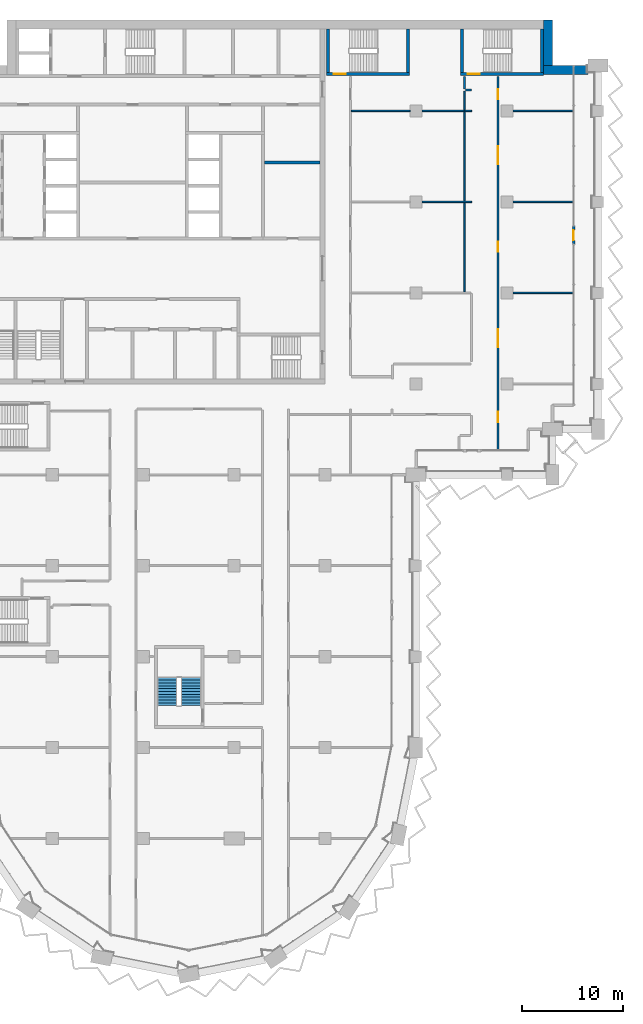
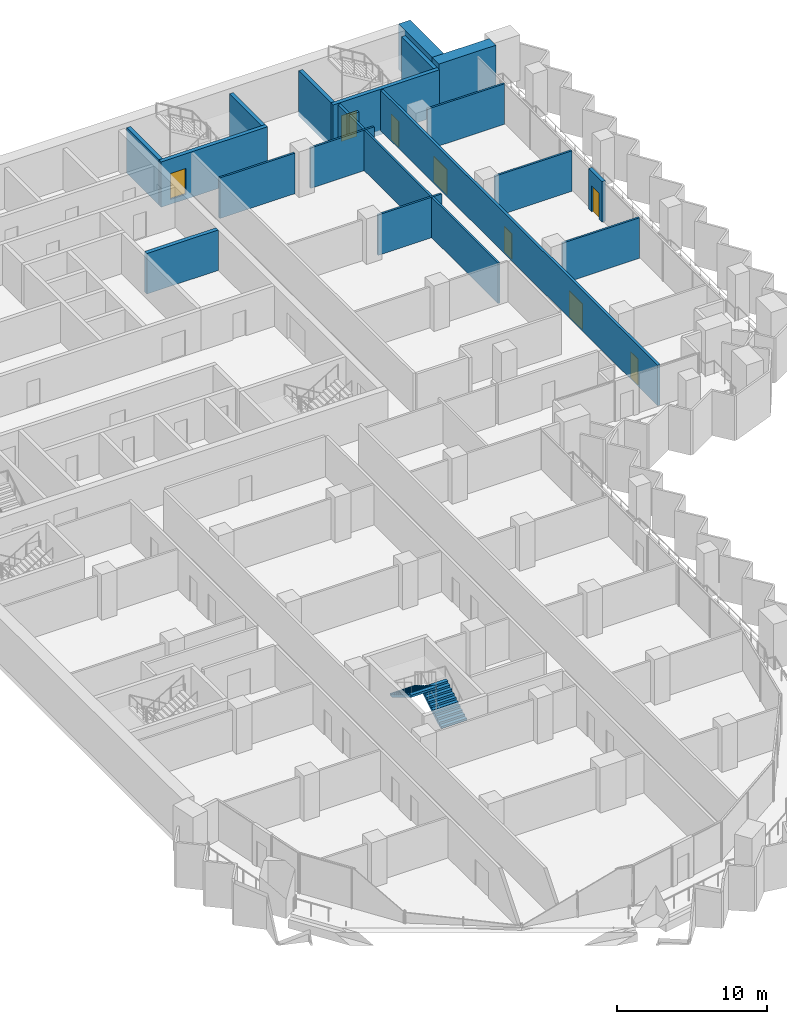
# One storey, part 14 of 22: 22 walls, 8 doors, 2 stair flights, 8 openings, 1 element without a shape of its own.
"""IFC4 building model written with IfcOpenShell, lengths in metres."""

from ifc_helpers import new_model, si_unit, direction, frame, frame_2d, origin, place, context, subcontext, project, spatial, polyline, rectangle, outline, extrude, material, layer, layer_set, type_object, element, fill, aggregate, save


model = new_model("IFC4")

# Units and contexts
model_context = context("Model", 3, precision=1e-05, world=origin(), true_north=direction((0.0, 1.0)))
body_context = subcontext(model_context, "Body", "Model", "MODEL_VIEW")
ifc_project = project(units=[si_unit("LENGTHUNIT", "METRE"), si_unit("AREAUNIT", "SQUARE_METRE"), si_unit("VOLUMEUNIT", "CUBIC_METRE"), si_unit("PLANEANGLEUNIT", "RADIAN"), si_unit("MASSUNIT", "GRAM", prefix="KILO")], contexts=[model_context])

# Site, building, storey
site_placement = place(None, origin())
site = spatial("IfcSite", under=ifc_project, at=site_placement, CompositionType="ELEMENT")
building_placement = place(site_placement, origin())
building = spatial("IfcBuilding", under=site, at=building_placement, Name="Hunhe Ridgeline Campus", CompositionType="ELEMENT")
storey_placement = place(building_placement, frame((0.0, 0.0, 163.39990234375)))
storey = spatial("IfcBuildingStorey", under=building, at=storey_placement, Name="L41", CompositionType="ELEMENT", Elevation=163.39990234375)

# Walls
ifc_material_1 = material(Name="Masonry concrete blockwork", Category="masonry")
ifc_layer_1 = layer(ifc_material_1, 0.300048828125)
ifc_layer_set_1 = layer_set([ifc_layer_1], Name="Core room partition 300 concrete block")
wall_type_1 = type_object("IfcWallType", Name="Core room partition 300 concrete block", PredefinedType="PARTITIONING", material=ifc_layer_set_1)
wall_1_placement = place(storey_placement, frame((30.0, 84.89990234375, 0.0), z_axis=(0.0, 0.0, 1.0), x_axis=(1.0, 0.0, 0.0)))
element("IfcWall", 1, at=wall_1_placement, inside=storey, type_object=wall_type_1, Name="L41 core partition 21", PredefinedType="PARTITIONING", context=body_context, shape_type="SweptSolid", body=[
    extrude(rectangle(XDim=5.5, YDim=0.300048828125, at=frame_2d((2.75, 0.0))), origin(), (0.0, 0.0, 1.0), 3.300048828125),
])
ifc_material_2 = material(Name="Gypsum board partition")
ifc_layer_2 = layer(ifc_material_2, 0.199951171875)
ifc_layer_set_2 = layer_set([ifc_layer_2], Name="Corridor partition 200 gypsum board on steel studs")
wall_type_2 = type_object("IfcWallType", Name="Corridor partition 200 gypsum board on steel studs", PredefinedType="PARTITIONING", material=ifc_layer_set_2)
wall_2_placement = place(storey_placement, frame((50.5, 92.050048828125, 0.0), z_axis=(0.0, 0.0, 1.0), x_axis=(-1.0, 0.0, 0.0)))
element("IfcWall", 2, at=wall_2_placement, inside=storey, type_object=wall_type_2, Name="F-L41-wall-054", PredefinedType="PARTITIONING", context=body_context, shape_type="SweptSolid", body=[
    extrude(rectangle(XDim=0.60009765625, YDim=0.199951171875, at=frame_2d((0.300048828125, 0.0))), origin(), (0.0, 0.0, 1.0), 3.300048828125),
])
wall_3_placement = place(storey_placement, frame((49.800048828125, 92.14990234375, 0.0), z_axis=(0.0, 0.0, 1.0), x_axis=(0.0, 1.0, 0.0)))
element("IfcWall", 3, at=wall_3_placement, inside=storey, type_object=wall_type_2, Name="F-L41-wall-071", PredefinedType="PARTITIONING", context=body_context, shape_type="SweptSolid", body=[
    extrude(rectangle(XDim=1.24609375, YDim=0.199951171875, at=frame_2d((0.623046875, 0.0))), origin(), (0.0, 0.0, 1.0), 3.300048828125),
])

# Wall, openings, doors
wall_4_placement = place(storey_placement, frame((53.10009765625, 93.39599609375, 0.0), z_axis=(0.0, 0.0, 1.0), x_axis=(0.0, -1.0, 0.0)))
wall_4 = element("IfcWall", 4, at=wall_4_placement, inside=storey, type_object=wall_type_2, Name="F-L41-wall-074", PredefinedType="PARTITIONING", context=body_context, shape_type="SweptSolid", body=[
    extrude(rectangle(XDim=36.94091796875, YDim=0.199951171875, at=frame_2d((18.470458984375, 0.0))), origin(), (0.0, 0.0, 1.0), 3.300048828125),
])
opening_1_placement = place(wall_4_placement, frame((33.174072265625, 0.0, 0.0)))
opening_1 = element("IfcOpeningElement", 5, at=opening_1_placement, cuts=wall_4, Name="Opening RD1-026", PredefinedType="OPENING", context=body_context, shape_type="SweptSolid", body=[
    extrude(rectangle(XDim=1.0, YDim=2.10009765625, at=frame_2d((0.5, 1.050048828125))), frame((0.0, 0.10009765625, 0.0), z_axis=(0.0, -1.0, 0.0), x_axis=(1.0, 0.0, 0.0)), (0.0, 0.0, 1.0), 0.199951171875),
])
opening_2_placement = place(wall_4_placement, frame((24.98388671875, 0.0, 0.0)))
opening_2 = element("IfcOpeningElement", 6, at=opening_2_placement, cuts=wall_4, Name="Opening RD2-029", PredefinedType="OPENING", context=body_context, shape_type="SweptSolid", body=[
    extrude(rectangle(XDim=1.800048828125, YDim=2.10009765625, at=frame_2d((0.89990234375, 1.050048828125))), frame((0.0, 0.10009765625, 0.0), z_axis=(0.0, -1.0, 0.0), x_axis=(1.0, 0.0, 0.0)), (0.0, 0.0, 1.0), 0.199951171875),
])
opening_3_placement = place(wall_4_placement, frame((16.337158203125, 0.0, 0.0)))
opening_3 = element("IfcOpeningElement", 7, at=opening_3_placement, cuts=wall_4, Name="Opening RD1-033", PredefinedType="OPENING", context=body_context, shape_type="SweptSolid", body=[
    extrude(rectangle(XDim=1.0, YDim=2.10009765625, at=frame_2d((0.5, 1.050048828125))), frame((0.0, 0.10009765625, 0.0), z_axis=(0.0, -1.0, 0.0), x_axis=(1.0, 0.0, 0.0)), (0.0, 0.0, 1.0), 0.199951171875),
])
opening_4_placement = place(wall_4_placement, frame((6.890380859375, 0.0, 0.0)))
opening_4 = element("IfcOpeningElement", 8, at=opening_4_placement, cuts=wall_4, Name="Opening RD2-036", PredefinedType="OPENING", context=body_context, shape_type="SweptSolid", body=[
    extrude(rectangle(XDim=1.800048828125, YDim=2.10009765625, at=frame_2d((0.89990234375, 1.050048828125))), frame((0.0, 0.10009765625, 0.0), z_axis=(0.0, -1.0, 0.0), x_axis=(1.0, 0.0, 0.0)), (0.0, 0.0, 1.0), 0.199951171875),
])
opening_5_placement = place(wall_4_placement, frame((1.259033203125, 0.0, 0.0)))
opening_5 = element("IfcOpeningElement", 9, at=opening_5_placement, cuts=wall_4, Name="Opening RD1-038", PredefinedType="OPENING", context=body_context, shape_type="SweptSolid", body=[
    extrude(rectangle(XDim=1.0, YDim=2.10009765625, at=frame_2d((0.5, 1.050048828125))), frame((0.0, 0.10009765625, 0.0), z_axis=(0.0, -1.0, 0.0), x_axis=(1.0, 0.0, 0.0)), (0.0, 0.0, 1.0), 0.199951171875),
])
ifc_material_3 = material(Name="Timber door leaf", Category="wood")
door_type_1 = type_object("IfcDoorType", Name="Double fire door 1800x2100 timber FD60", OperationType="DOUBLE_DOOR_SINGLE_SWING", PredefinedType="DOOR", material=ifc_material_3)
door_1_placement = place(opening_2_placement, origin())
door_1 = element("IfcDoor", 10, at=door_1_placement, inside=storey, type_object=door_type_1, Name="F-L41-door-029", OperationType="DOUBLE_DOOR_SINGLE_SWING", OverallHeight=2.10009765625, OverallWidth=1.800048828125, PredefinedType="DOOR", context=body_context, shape_type="SweptSolid", body=[
    extrude(rectangle(XDim=1.800048828125, YDim=2.10009765625, at=frame_2d((0.89990234375, 1.050048828125))), frame((0.0, 0.02490234375, 0.0), z_axis=(0.0, -1.0, 0.0), x_axis=(1.0, 0.0, 0.0)), (0.0, 0.0, 1.0), 0.050048828125),
])
fill(opening_2, door_1)
door_2_placement = place(opening_4_placement, origin())
door_2 = element("IfcDoor", 11, at=door_2_placement, inside=storey, type_object=door_type_1, Name="F-L41-door-036", OperationType="DOUBLE_DOOR_SINGLE_SWING", OverallHeight=2.10009765625, OverallWidth=1.800048828125, PredefinedType="DOOR", context=body_context, shape_type="SweptSolid", body=[
    extrude(rectangle(XDim=1.800048828125, YDim=2.10009765625, at=frame_2d((0.89990234375, 1.050048828125))), frame((0.0, 0.02490234375, 0.0), z_axis=(0.0, -1.0, 0.0), x_axis=(1.0, 0.0, 0.0)), (0.0, 0.0, 1.0), 0.050048828125),
])
fill(opening_4, door_2)
door_type_2 = type_object("IfcDoorType", Name="Single fire door 1000x2100 timber FD60", OperationType="NOTDEFINED", PredefinedType="DOOR", material=ifc_material_3)
door_3_placement = place(opening_1_placement, origin())
door_3 = element("IfcDoor", 12, at=door_3_placement, inside=storey, type_object=door_type_2, Name="F-L41-door-026", OperationType="SINGLE_SWING_LEFT", OverallHeight=2.10009765625, OverallWidth=1.0, PredefinedType="DOOR", context=body_context, shape_type="SweptSolid", body=[
    extrude(rectangle(XDim=1.0, YDim=2.10009765625, at=frame_2d((0.5, 1.050048828125))), frame((0.0, 0.02490234375, 0.0), z_axis=(0.0, -1.0, 0.0), x_axis=(1.0, 0.0, 0.0)), (0.0, 0.0, 1.0), 0.050048828125),
])
fill(opening_1, door_3)
door_4_placement = place(opening_3_placement, origin())
door_4 = element("IfcDoor", 13, at=door_4_placement, inside=storey, type_object=door_type_2, Name="F-L41-door-033", OperationType="SINGLE_SWING_LEFT", OverallHeight=2.10009765625, OverallWidth=1.0, PredefinedType="DOOR", context=body_context, shape_type="SweptSolid", body=[
    extrude(rectangle(XDim=1.0, YDim=2.10009765625, at=frame_2d((0.5, 1.050048828125))), frame((0.0, 0.02490234375, 0.0), z_axis=(0.0, -1.0, 0.0), x_axis=(1.0, 0.0, 0.0)), (0.0, 0.0, 1.0), 0.050048828125),
])
fill(opening_3, door_4)
door_5_placement = place(opening_5_placement, origin())
door_5 = element("IfcDoor", 14, at=door_5_placement, inside=storey, type_object=door_type_2, Name="F-L41-door-038", OperationType="SINGLE_SWING_LEFT", OverallHeight=2.10009765625, OverallWidth=1.0, PredefinedType="DOOR", context=body_context, shape_type="SweptSolid", body=[
    extrude(rectangle(XDim=1.0, YDim=2.10009765625, at=frame_2d((0.5, 1.050048828125))), frame((0.0, 0.02490234375, 0.0), z_axis=(0.0, -1.0, 0.0), x_axis=(1.0, 0.0, 0.0)), (0.0, 0.0, 1.0), 0.050048828125),
])
fill(opening_5, door_5)

# Wall, opening, door
ifc_material_4 = material(Name="Concrete C30", Category="concrete")
ifc_layer_3 = layer(ifc_material_4, 0.25)
ifc_layer_set_3 = layer_set([ifc_layer_3], Name="Loggia door pier wall 250 Concrete C30")
wall_type_3 = type_object("IfcWallType", Name="Loggia door pier wall 250 Concrete C30", PredefinedType="SOLIDWALL", material=ifc_layer_set_3)
wall_5_placement = place(storey_placement, frame((60.59912109375, 76.800537109375, 0.0), z_axis=(0.0, 0.0, 1.0), x_axis=(0.0, 1.0, 0.0)))
wall_5 = element("IfcWall", 15, at=wall_5_placement, inside=storey, type_object=wall_type_3, Name="Loggia door pier 5", PredefinedType="SOLIDWALL", context=body_context, shape_type="SweptSolid", body=[
    extrude(rectangle(XDim=1.800048828125, YDim=0.25, at=frame_2d((0.89990234375, 0.0))), origin(), (0.0, 0.0, 1.0), 3.300048828125),
])
opening_6_placement = place(wall_5_placement, frame((0.39990234375, 0.0, 0.0)))
opening_6 = element("IfcOpeningElement", 16, at=opening_6_placement, cuts=wall_5, Name="Opening BD307", PredefinedType="OPENING", context=body_context, shape_type="SweptSolid", body=[
    extrude(rectangle(XDim=1.0, YDim=2.10009765625, at=frame_2d((0.5, 1.050048828125))), frame((0.0, 0.125, 0.0), z_axis=(0.0, -1.0, 0.0), x_axis=(1.0, 0.0, 0.0)), (0.0, 0.0, 1.0), 0.25),
])
ifc_material_5 = material(Name="Aluminium 6063", Category="aluminium")
door_type_3 = type_object("IfcDoorType", Name="Loggia glazed door 1000x2100", OperationType="NOTDEFINED", PredefinedType="DOOR", material=ifc_material_5)
door_6_placement = place(opening_6_placement, frame((1.0, 0.0, 0.0), z_axis=(0.0, 0.0, 1.0), x_axis=(-1.0, 0.0, 0.0)))
door_6 = element("IfcDoor", 17, at=door_6_placement, inside=storey, type_object=door_type_3, Name="Loggia door BD307", OperationType="SINGLE_SWING_RIGHT", OverallHeight=2.10009765625, OverallWidth=1.0, PredefinedType="DOOR", context=body_context, shape_type="SweptSolid", body=[
    extrude(rectangle(XDim=1.0, YDim=2.10009765625, at=frame_2d((0.5, 1.050048828125))), frame((0.0, 0.02490234375, 0.0), z_axis=(0.0, -1.0, 0.0), x_axis=(1.0, 0.0, 0.0)), (0.0, 0.0, 1.0), 0.050048828125),
])
fill(opening_6, door_6)

# Walls
ifc_layer_4 = layer(ifc_material_2, 0.14990234375)
ifc_layer_set_4 = layer_set([ifc_layer_4], Name="Room partition 150 gypsum board on steel studs")
wall_type_4 = type_object("IfcWallType", Name="Room partition 150 gypsum board on steel studs", PredefinedType="PARTITIONING", material=ifc_layer_set_4)
wall_6_placement = place(storey_placement, frame((54.60009765625, 72.0, 0.0), z_axis=(0.0, 0.0, 1.0), x_axis=(1.0, 0.0, 0.0)))
element("IfcWall", 18, at=wall_6_placement, inside=storey, type_object=wall_type_4, Name="F-L41-wall-047", PredefinedType="PARTITIONING", context=body_context, shape_type="SweptSolid", body=[
    extrude(rectangle(XDim=5.94482421875, YDim=0.14990234375, at=frame_2d((2.972412109375, 0.0))), origin(), (0.0, 0.0, 1.0), 3.300048828125),
])
wall_7_placement = place(storey_placement, frame((45.60009765625, 81.0, 0.0), z_axis=(0.0, 0.0, 1.0), x_axis=(1.0, 0.0, 0.0)))
element("IfcWall", 19, at=wall_7_placement, inside=storey, type_object=wall_type_4, Name="F-L41-wall-049", PredefinedType="PARTITIONING", context=body_context, shape_type="SweptSolid", body=[
    extrude(rectangle(XDim=4.89990234375, YDim=0.14990234375, at=frame_2d((2.449951171875, 0.0))), origin(), (0.0, 0.0, 1.0), 3.300048828125),
])
wall_8_placement = place(storey_placement, frame((54.60009765625, 81.0, 0.0), z_axis=(0.0, 0.0, 1.0), x_axis=(1.0, 0.0, 0.0)))
element("IfcWall", 20, at=wall_8_placement, inside=storey, type_object=wall_type_4, Name="F-L41-wall-050", PredefinedType="PARTITIONING", context=body_context, shape_type="SweptSolid", body=[
    extrude(rectangle(XDim=5.94482421875, YDim=0.14990234375, at=frame_2d((2.972412109375, 0.0))), origin(), (0.0, 0.0, 1.0), 3.300048828125),
])
wall_9_placement = place(storey_placement, frame((38.60009765625, 90.0, 0.0), z_axis=(0.0, 0.0, 1.0), x_axis=(1.0, 0.0, 0.0)))
element("IfcWall", 21, at=wall_9_placement, inside=storey, type_object=wall_type_4, Name="F-L41-wall-051", PredefinedType="PARTITIONING", context=body_context, shape_type="SweptSolid", body=[
    extrude(rectangle(XDim=5.7998046875, YDim=0.14990234375, at=frame_2d((2.89990234375, 0.0))), origin(), (0.0, 0.0, 1.0), 3.300048828125),
])
wall_10_placement = place(storey_placement, frame((45.60009765625, 90.0, 0.0), z_axis=(0.0, 0.0, 1.0), x_axis=(1.0, 0.0, 0.0)))
element("IfcWall", 22, at=wall_10_placement, inside=storey, type_object=wall_type_4, Name="F-L41-wall-052", PredefinedType="PARTITIONING", context=body_context, shape_type="SweptSolid", body=[
    extrude(rectangle(XDim=4.89990234375, YDim=0.14990234375, at=frame_2d((2.449951171875, 0.0))), origin(), (0.0, 0.0, 1.0), 3.300048828125),
])
wall_11_placement = place(storey_placement, frame((54.60009765625, 90.0, 0.0), z_axis=(0.0, 0.0, 1.0), x_axis=(1.0, 0.0, 0.0)))
element("IfcWall", 23, at=wall_11_placement, inside=storey, type_object=wall_type_4, Name="F-L41-wall-053", PredefinedType="PARTITIONING", context=body_context, shape_type="SweptSolid", body=[
    extrude(rectangle(XDim=5.94482421875, YDim=0.14990234375, at=frame_2d((2.972412109375, 0.0))), origin(), (0.0, 0.0, 1.0), 3.300048828125),
])
for number, where, z_axis, x_axis, name in (
    (24, (49.800048828125, 80.925048828125, 0.0), (0.0, 0.0, 1.0), (0.0, -1.0, 0.0), "F-L41-wall-068"),
    (25, (49.800048828125, 89.925048828125, 0.0), (0.0, 0.0, 1.0), (0.0, -1.0, 0.0), "F-L41-wall-069"),
):
    element("IfcWall", number, at=place(storey_placement, frame(where, z_axis=z_axis, x_axis=x_axis)), inside=storey, type_object=wall_type_4, Name=name, PredefinedType="PARTITIONING", context=body_context, shape_type="SweptSolid", body=[
        extrude(rectangle(XDim=8.85009765625, YDim=0.14990234375, at=frame_2d((4.425048828125, 0.0))), origin(), (0.0, 0.0, 1.0), 3.300048828125),
    ])
wall_12_placement = place(storey_placement, frame((49.800048828125, 91.949951171875, 0.0), z_axis=(0.0, 0.0, 1.0), x_axis=(0.0, -1.0, 0.0)))
element("IfcWall", 26, at=wall_12_placement, inside=storey, type_object=wall_type_4, Name="F-L41-wall-070", PredefinedType="PARTITIONING", context=body_context, shape_type="SweptSolid", body=[
    extrude(rectangle(XDim=1.875, YDim=0.14990234375, at=frame_2d((0.9375, 0.0))), origin(), (0.0, 0.0, 1.0), 3.300048828125),
])
ifc_material_6 = material(Name="Concrete C70", Category="concrete")
ifc_layer_5 = layer(ifc_material_6, 0.89990234375)
ifc_layer_set_5 = layer_set([ifc_layer_5], Name="Spine wall 900 Concrete C70")
wall_type_5 = type_object("IfcWallType", Name="Spine wall 900 Concrete C70", PredefinedType="SHEAR", material=ifc_layer_set_5)
wall_13_placement = place(storey_placement, frame((62.0, 94.050048828125, 0.0), z_axis=(0.0, 0.0, 1.0), x_axis=(-1.0, 0.0, 0.0)))
element("IfcWall", 27, at=wall_13_placement, inside=storey, type_object=wall_type_5, Name="Spine wall SW2-2 L41", PredefinedType="SHEAR", context=body_context, shape_type="SweptSolid", body=[
    extrude(rectangle(XDim=4.400390625, YDim=0.89990234375, at=frame_2d((2.2001953125, 0.0))), origin(), (0.0, 0.0, 1.0), 3.7001953125),
])
wall_14_placement = place(storey_placement, frame((58.050048828125, 93.60009765625, 0.0), z_axis=(0.0, 0.0, 1.0), x_axis=(0.0, 1.0, 0.0)))
element("IfcWall", 28, at=wall_14_placement, inside=storey, type_object=wall_type_5, Name="Spine wall SW2-3 L41", PredefinedType="SHEAR", context=body_context, shape_type="SweptSolid", body=[
    extrude(rectangle(XDim=5.39990234375, YDim=0.89990234375, at=frame_2d((2.699951171875, 0.0))), origin(), (0.0, 0.0, 1.0), 3.7001953125),
])

# Wall, opening, door
ifc_layer_6 = layer(ifc_material_6, 0.300048828125)
ifc_layer_set_6 = layer_set([ifc_layer_6], Name="Stair wall 300 reinforced concrete C70")
wall_type_6 = type_object("IfcWallType", Name="Stair wall 300 reinforced concrete C70", PredefinedType="SOLIDWALL", material=ifc_layer_set_6)
wall_15_placement = place(storey_placement, frame((36.14990234375, 93.64990234375, -0.39990234375), z_axis=(0.0, 0.0, 1.0), x_axis=(1.0, 0.0, 0.0)))
wall_15 = element("IfcWall", 29, at=wall_15_placement, inside=storey, type_object=wall_type_6, Name="L41 core wall 29", PredefinedType="SOLIDWALL", context=body_context, shape_type="SweptSolid", body=[
    extrude(rectangle(XDim=8.2001953125, YDim=0.300048828125, at=frame_2d((4.10009765625, 0.0))), origin(), (0.0, 0.0, 1.0), 3.699951171875),
])
opening_7_placement = place(wall_15_placement, frame((0.699951171875, 0.0, 0.39990234375)))
opening_7 = element("IfcOpeningElement", 30, at=opening_7_placement, cuts=wall_15, Name="Opening CD17", PredefinedType="OPENING", context=body_context, shape_type="SweptSolid", body=[
    extrude(rectangle(XDim=1.199951171875, YDim=2.10009765625, at=frame_2d((0.60009765625, 1.050048828125))), frame((0.0, 0.14990234375, 0.0), z_axis=(0.0, -1.0, 0.0), x_axis=(1.0, 0.0, 0.0)), (0.0, 0.0, 1.0), 0.300048828125),
])
ifc_material_7 = material(Name="Hollow metal fire door leaf")
door_type_4 = type_object("IfcDoorType", Name="Stair door 1200x2100 FD60", OperationType="SINGLE_SWING_LEFT", PredefinedType="DOOR", material=ifc_material_7)
door_7_placement = place(opening_7_placement, frame((1.199951171875, 0.0, 0.0), z_axis=(0.0, 0.0, 1.0), x_axis=(-1.0, 0.0, 0.0)))
door_7 = element("IfcDoor", 31, at=door_7_placement, inside=storey, type_object=door_type_4, Name="L41 door E1", OperationType="SINGLE_SWING_RIGHT", OverallHeight=2.10009765625, OverallWidth=1.199951171875, PredefinedType="DOOR", context=body_context, shape_type="SweptSolid", body=[
    extrude(rectangle(XDim=1.199951171875, YDim=2.10009765625, at=frame_2d((0.60009765625, 1.050048828125))), frame((0.0, 0.02490234375, 0.0), z_axis=(0.0, -1.0, 0.0), x_axis=(1.0, 0.0, 0.0)), (0.0, 0.0, 1.0), 0.050048828125),
])
fill(opening_7, door_7)

wall_16_placement = place(storey_placement, frame((49.39990234375, 93.64990234375, -0.39990234375), z_axis=(0.0, 0.0, 1.0), x_axis=(1.0, 0.0, 0.0)))
wall_16 = element("IfcWall", 32, at=wall_16_placement, inside=storey, type_object=wall_type_6, Name="L41 core wall 30", PredefinedType="SOLIDWALL", context=body_context, shape_type="SweptSolid", body=[
    extrude(rectangle(XDim=8.2001953125, YDim=0.300048828125, at=frame_2d((4.10009765625, 0.0))), origin(), (0.0, 0.0, 1.0), 3.699951171875),
])
opening_8_placement = place(wall_16_placement, frame((0.699951171875, 0.0, 0.39990234375)))
opening_8 = element("IfcOpeningElement", 33, at=opening_8_placement, cuts=wall_16, Name="Opening CD18", PredefinedType="OPENING", context=body_context, shape_type="SweptSolid", body=[
    extrude(rectangle(XDim=1.199951171875, YDim=2.10009765625, at=frame_2d((0.60009765625, 1.050048828125))), frame((0.0, 0.14990234375, 0.0), z_axis=(0.0, -1.0, 0.0), x_axis=(1.0, 0.0, 0.0)), (0.0, 0.0, 1.0), 0.300048828125),
])
door_8_placement = place(opening_8_placement, frame((1.199951171875, 0.0, 0.0), z_axis=(0.0, 0.0, 1.0), x_axis=(-1.0, 0.0, 0.0)))
door_8 = element("IfcDoor", 34, at=door_8_placement, inside=storey, type_object=door_type_4, Name="L41 door E2", OperationType="SINGLE_SWING_LEFT", OverallHeight=2.10009765625, OverallWidth=1.199951171875, PredefinedType="DOOR", context=body_context, shape_type="SweptSolid", body=[
    extrude(rectangle(XDim=1.199951171875, YDim=2.10009765625, at=frame_2d((0.60009765625, 1.050048828125))), frame((0.0, 0.02490234375, 0.0), z_axis=(0.0, -1.0, 0.0), x_axis=(1.0, 0.0, 0.0)), (0.0, 0.0, 1.0), 0.050048828125),
])
fill(opening_8, door_8)

# Walls
for number, where, z_axis, x_axis, name in (
    (35, (36.300048828125, 93.800048828125, -0.39990234375), (0.0, 0.0, 1.0), (0.0, 1.0, 0.0), "L41 core wall 60"),
    (36, (44.199951171875, 93.800048828125, -0.39990234375), (0.0, 0.0, 1.0), (0.0, 1.0, 0.0), "L41 core wall 61"),
    (37, (49.550048828125, 93.800048828125, -0.39990234375), (0.0, 0.0, 1.0), (0.0, 1.0, 0.0), "L41 core wall 62"),
    (38, (57.449951171875, 93.800048828125, -0.39990234375), (0.0, 0.0, 1.0), (0.0, 1.0, 0.0), "L41 core wall 63"),
):
    element("IfcWall", number, at=place(storey_placement, frame(where, z_axis=z_axis, x_axis=x_axis)), inside=storey, type_object=wall_type_6, Name=name, PredefinedType="SOLIDWALL", context=body_context, shape_type="SweptSolid", body=[
        extrude(rectangle(XDim=4.300048828125, YDim=0.300048828125, at=frame_2d((2.14990234375, 0.0))), origin(), (0.0, 0.0, 1.0), 3.699951171875),
    ])

# Stair, stair flights
ifc_material_8 = material(Name="Concrete C40", Category="concrete")
stair_type = type_object("IfcStairType", Name="Reinforced concrete dog-leg stair 1950 Concrete C40", PredefinedType="HALF_TURN_STAIR", material=ifc_material_8)
stair_placement = place(storey_placement, origin())
stair = element("IfcStair", 39, at=stair_placement, inside=storey, type_object=stair_type, Name="L41 W3", PredefinedType="HALF_TURN_STAIR")
stair_flight_type = type_object("IfcStairFlightType", Name="Reinforced concrete stair flight 1950 Concrete C40", PredefinedType="STRAIGHT", material=ifc_material_8)
stair_flight_1_placement = place(storey_placement, frame((22.72509765625, 31.14990234375, 0.0), z_axis=(0.0, 0.0, 1.0), x_axis=(0.0, 1.0, 0.0)))
stair_flight_1 = element("IfcStairFlight", 40, at=stair_flight_1_placement, type_object=stair_flight_type, Name="ST9 flight 1", NumberOfRisers=11, NumberOfTreads=10, PredefinedType="STRAIGHT", RiserHeight=0.168181818, TreadLength=0.28, context=body_context, shape_type="SweptSolid", body=[
    extrude(outline(polyline([(0.0, 0.0), (0.0, 0.168212890625), (0.280029296875, 0.168212890625), (0.280029296875, 0.33642578125), (0.56005859375, 0.33642578125), (0.56005859375, 0.504638671875), (0.840087890625, 0.504638671875), (0.840087890625, 0.672607421875), (1.1201171875, 0.672607421875), (1.1201171875, 0.8408203125), (1.39990234375, 0.8408203125), (1.39990234375, 1.009033203125), (1.679931640625, 1.009033203125), (1.679931640625, 1.17724609375), (1.9599609375, 1.17724609375), (1.9599609375, 1.345458984375), (2.239990234375, 1.345458984375), (2.239990234375, 1.513671875), (2.52001953125, 1.513671875), (2.52001953125, 1.681884765625), (2.800048828125, 1.681884765625), (2.800048828125, 1.85009765625), (2.800048828125, 1.5068359375), (0.291015625, 0.0), (0.0, 0.0)])), frame((0.0, 0.97509765625, 0.0), z_axis=(0.0, -1.0, 0.0), x_axis=(1.0, 0.0, 0.0)), (0.0, 0.0, 1.0), 1.949951171875),
    extrude(outline(polyline([(0.030029296875, 0.030029296875), (0.030029296875, 0.13818359375), (0.31005859375, 0.13818359375), (0.31005859375, 0.306396484375), (0.590087890625, 0.306396484375), (0.590087890625, 0.474609375), (0.8701171875, 0.474609375), (0.8701171875, 0.642578125), (1.14990234375, 0.642578125), (1.14990234375, 0.810791015625), (1.429931640625, 0.810791015625), (1.429931640625, 0.97900390625), (1.7099609375, 0.97900390625), (1.7099609375, 1.147216796875), (1.989990234375, 1.147216796875), (1.989990234375, 1.3154296875), (2.27001953125, 1.3154296875), (2.27001953125, 1.483642578125), (2.550048828125, 1.483642578125), (2.550048828125, 1.65185546875), (2.77001953125, 1.65185546875), (2.77001953125, 1.52392578125), (0.28271484375, 0.030029296875), (0.030029296875, 0.030029296875)])), frame((0.0, -0.070068359375, 0.0), z_axis=(0.0, -1.0, 0.0), x_axis=(1.0, 0.0, 0.0)), (0.0, 0.0, 1.0), 0.019775390625),
    extrude(outline(polyline([(0.030029296875, 0.030029296875), (0.030029296875, 0.13818359375), (0.31005859375, 0.13818359375), (0.31005859375, 0.306396484375), (0.590087890625, 0.306396484375), (0.590087890625, 0.474609375), (0.8701171875, 0.474609375), (0.8701171875, 0.642578125), (1.14990234375, 0.642578125), (1.14990234375, 0.810791015625), (1.429931640625, 0.810791015625), (1.429931640625, 0.97900390625), (1.7099609375, 0.97900390625), (1.7099609375, 1.147216796875), (1.989990234375, 1.147216796875), (1.989990234375, 1.3154296875), (2.27001953125, 1.3154296875), (2.27001953125, 1.483642578125), (2.550048828125, 1.483642578125), (2.550048828125, 1.65185546875), (2.77001953125, 1.65185546875), (2.77001953125, 1.52392578125), (0.28271484375, 0.030029296875), (0.030029296875, 0.030029296875)])), frame((0.0, 0.010009765625, 0.0), z_axis=(0.0, -1.0, 0.0), x_axis=(1.0, 0.0, 0.0)), (0.0, 0.0, 1.0), 0.019775390625),
    extrude(outline(polyline([(0.030029296875, 0.030029296875), (0.030029296875, 0.13818359375), (0.31005859375, 0.13818359375), (0.31005859375, 0.306396484375), (0.590087890625, 0.306396484375), (0.590087890625, 0.474609375), (0.8701171875, 0.474609375), (0.8701171875, 0.642578125), (1.14990234375, 0.642578125), (1.14990234375, 0.810791015625), (1.429931640625, 0.810791015625), (1.429931640625, 0.97900390625), (1.7099609375, 0.97900390625), (1.7099609375, 1.147216796875), (1.989990234375, 1.147216796875), (1.989990234375, 1.3154296875), (2.27001953125, 1.3154296875), (2.27001953125, 1.483642578125), (2.550048828125, 1.483642578125), (2.550048828125, 1.65185546875), (2.77001953125, 1.65185546875), (2.77001953125, 1.52392578125), (0.28271484375, 0.030029296875), (0.030029296875, 0.030029296875)])), frame((0.0, 0.090087890625, 0.0), z_axis=(0.0, -1.0, 0.0), x_axis=(1.0, 0.0, 0.0)), (0.0, 0.0, 1.0), 0.019775390625),
])
stair_flight_2_placement = place(storey_placement, frame((20.375, 33.949951171875, 1.85009765625), z_axis=(0.0, 0.0, 1.0), x_axis=(0.0, -1.0, 0.0)))
stair_flight_2 = element("IfcStairFlight", 41, at=stair_flight_2_placement, type_object=stair_flight_type, Name="ST9 flight 2", NumberOfRisers=11, NumberOfTreads=10, PredefinedType="STRAIGHT", RiserHeight=0.168181818, TreadLength=0.28, context=body_context, shape_type="SweptSolid", body=[
    extrude(outline(polyline([(0.0, 0.0), (0.0, 0.168212890625), (0.280029296875, 0.168212890625), (0.280029296875, 0.33642578125), (0.56005859375, 0.33642578125), (0.56005859375, 0.504638671875), (0.840087890625, 0.504638671875), (0.840087890625, 0.672607421875), (1.1201171875, 0.672607421875), (1.1201171875, 0.8408203125), (1.39990234375, 0.8408203125), (1.39990234375, 1.009033203125), (1.679931640625, 1.009033203125), (1.679931640625, 1.17724609375), (1.9599609375, 1.17724609375), (1.9599609375, 1.345458984375), (2.239990234375, 1.345458984375), (2.239990234375, 1.513671875), (2.52001953125, 1.513671875), (2.52001953125, 1.681884765625), (2.800048828125, 1.681884765625), (2.800048828125, 1.85009765625), (2.800048828125, 1.5068359375), (0.291015625, 0.0), (0.0, 0.0)])), frame((0.0, 0.97509765625, 0.0), z_axis=(0.0, -1.0, 0.0), x_axis=(1.0, 0.0, 0.0)), (0.0, 0.0, 1.0), 1.949951171875),
    extrude(outline(polyline([(0.030029296875, 0.030029296875), (0.030029296875, 0.13818359375), (0.31005859375, 0.13818359375), (0.31005859375, 0.306396484375), (0.590087890625, 0.306396484375), (0.590087890625, 0.474609375), (0.8701171875, 0.474609375), (0.8701171875, 0.642578125), (1.14990234375, 0.642578125), (1.14990234375, 0.810791015625), (1.429931640625, 0.810791015625), (1.429931640625, 0.97900390625), (1.7099609375, 0.97900390625), (1.7099609375, 1.147216796875), (1.989990234375, 1.147216796875), (1.989990234375, 1.3154296875), (2.27001953125, 1.3154296875), (2.27001953125, 1.483642578125), (2.550048828125, 1.483642578125), (2.550048828125, 1.65185546875), (2.77001953125, 1.65185546875), (2.77001953125, 1.52392578125), (0.28271484375, 0.030029296875), (0.030029296875, 0.030029296875)])), frame((0.0, -0.070068359375, 0.0), z_axis=(0.0, -1.0, 0.0), x_axis=(1.0, 0.0, 0.0)), (0.0, 0.0, 1.0), 0.019775390625),
    extrude(outline(polyline([(0.030029296875, 0.030029296875), (0.030029296875, 0.13818359375), (0.31005859375, 0.13818359375), (0.31005859375, 0.306396484375), (0.590087890625, 0.306396484375), (0.590087890625, 0.474609375), (0.8701171875, 0.474609375), (0.8701171875, 0.642578125), (1.14990234375, 0.642578125), (1.14990234375, 0.810791015625), (1.429931640625, 0.810791015625), (1.429931640625, 0.97900390625), (1.7099609375, 0.97900390625), (1.7099609375, 1.147216796875), (1.989990234375, 1.147216796875), (1.989990234375, 1.3154296875), (2.27001953125, 1.3154296875), (2.27001953125, 1.483642578125), (2.550048828125, 1.483642578125), (2.550048828125, 1.65185546875), (2.77001953125, 1.65185546875), (2.77001953125, 1.52392578125), (0.28271484375, 0.030029296875), (0.030029296875, 0.030029296875)])), frame((0.0, 0.010009765625, 0.0), z_axis=(0.0, -1.0, 0.0), x_axis=(1.0, 0.0, 0.0)), (0.0, 0.0, 1.0), 0.019775390625),
    extrude(outline(polyline([(0.030029296875, 0.030029296875), (0.030029296875, 0.13818359375), (0.31005859375, 0.13818359375), (0.31005859375, 0.306396484375), (0.590087890625, 0.306396484375), (0.590087890625, 0.474609375), (0.8701171875, 0.474609375), (0.8701171875, 0.642578125), (1.14990234375, 0.642578125), (1.14990234375, 0.810791015625), (1.429931640625, 0.810791015625), (1.429931640625, 0.97900390625), (1.7099609375, 0.97900390625), (1.7099609375, 1.147216796875), (1.989990234375, 1.147216796875), (1.989990234375, 1.3154296875), (2.27001953125, 1.3154296875), (2.27001953125, 1.483642578125), (2.550048828125, 1.483642578125), (2.550048828125, 1.65185546875), (2.77001953125, 1.65185546875), (2.77001953125, 1.52392578125), (0.28271484375, 0.030029296875), (0.030029296875, 0.030029296875)])), frame((0.0, 0.090087890625, 0.0), z_axis=(0.0, -1.0, 0.0), x_axis=(1.0, 0.0, 0.0)), (0.0, 0.0, 1.0), 0.019775390625),
])
aggregate(stair, [stair_flight_1, stair_flight_2])

save(model, "model.ifc")
